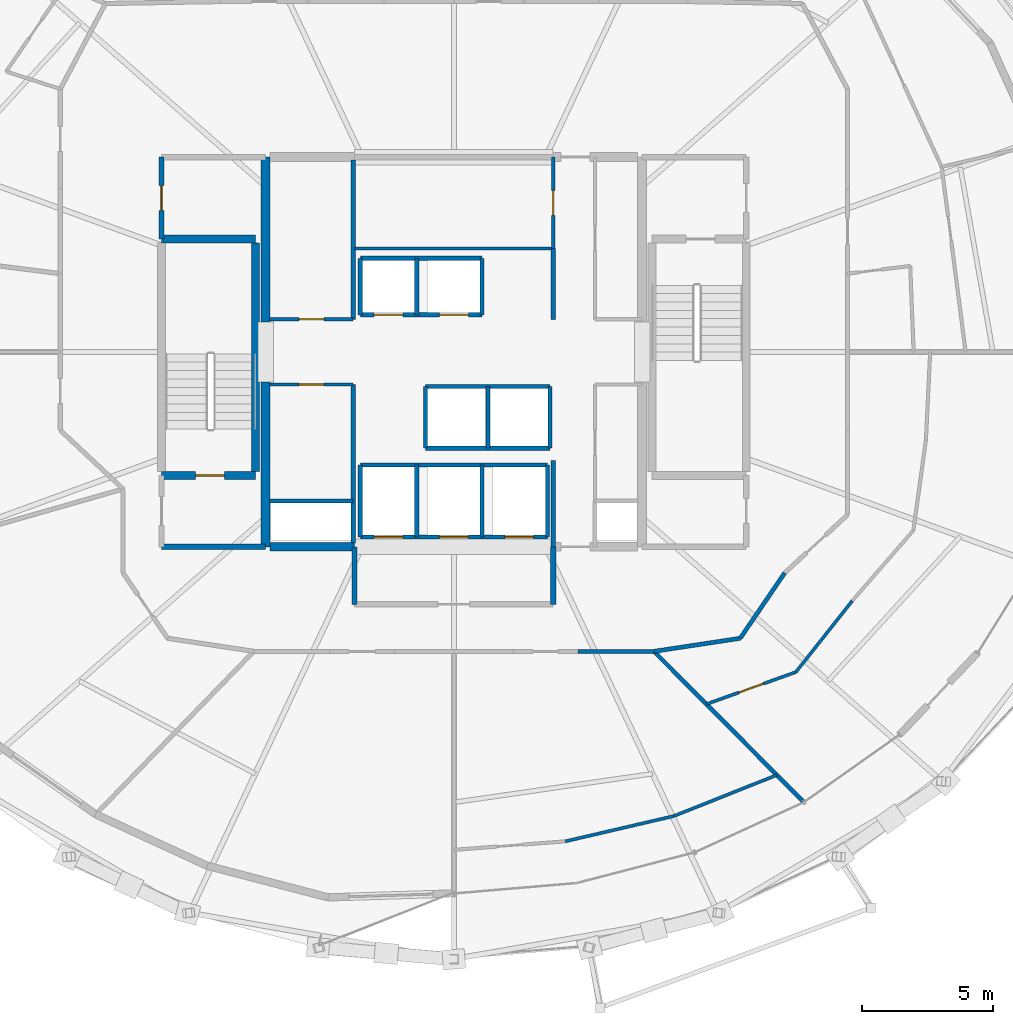
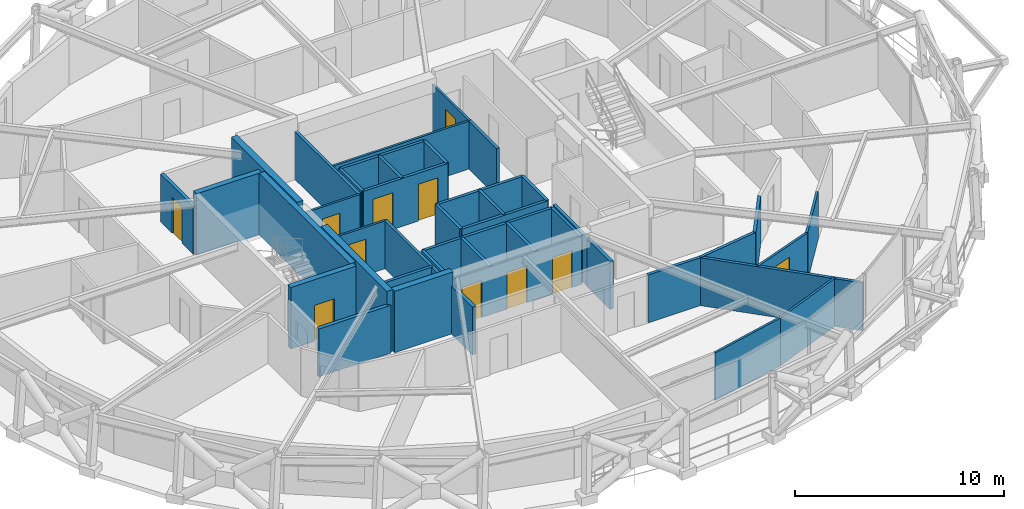
# One storey, part 13 of 17: 43 walls, 11 doors, 11 openings.
"""IFC4 building model written with IfcOpenShell, lengths in metres."""

from ifc_helpers import new_model, si_unit, direction, frame, frame_2d, origin, place, context, subcontext, project, spatial, rectangle, extrude, material, layer, layer_set, type_object, element, fill, save


model = new_model("IFC4")

# Units and contexts
model_context = context("Model", 3, precision=1e-05, world=origin(), true_north=direction((0.0, 1.0)))
body_context = subcontext(model_context, "Body", "Model", "MODEL_VIEW")
ifc_project = project(units=[si_unit("LENGTHUNIT", "METRE"), si_unit("AREAUNIT", "SQUARE_METRE"), si_unit("VOLUMEUNIT", "CUBIC_METRE"), si_unit("PLANEANGLEUNIT", "RADIAN"), si_unit("MASSUNIT", "GRAM", prefix="KILO")], contexts=[model_context])

# Site, building, storey
site_placement = place(None, origin())
site = spatial("IfcSite", under=ifc_project, at=site_placement, CompositionType="ELEMENT")
building_placement = place(site_placement, origin())
building = spatial("IfcBuilding", under=site, at=building_placement, Name="Veldorina Hangang Commons", CompositionType="ELEMENT")
storey_placement = place(building_placement, frame((0.0, 0.0, 196.39990234375)))
storey = spatial("IfcBuildingStorey", under=building, at=storey_placement, Name="L51", CompositionType="ELEMENT", Elevation=196.39990234375)

# Walls
ifc_material_1 = material(Name="Concrete C60/75", Category="concrete")
ifc_layer_1 = layer(ifc_material_1, 0.340087890625)
ifc_layer_set_1 = layer_set([ifc_layer_1], Name="Concrete C60/75")
wall_type_1 = type_object("IfcWallType", Name="CW-RC340-C60", PredefinedType="SHEAR", material=ifc_layer_set_1)
for number, where, z_axis, x_axis, name in (
    (1, (24.800048828125, 16.550048828125, 0.0), (0.0, 0.0, 1.0), (0.0, 1.0, 0.0), "L51 W south core shear wall"),
    (2, (24.800048828125, 25.14990234375, 0.0), (0.0, 0.0, 1.0), (0.0, 1.0, 0.0), "L51 W north core shear wall"),
):
    element("IfcWall", number, at=place(storey_placement, frame(where, z_axis=z_axis, x_axis=x_axis)), inside=storey, type_object=wall_type_1, Name=name, PredefinedType="SHEAR", context=body_context, shape_type="SweptSolid", body=[
        extrude(rectangle(XDim=6.300048828125, YDim=0.340087890625, at=frame_2d((3.14990234375, 0.0))), origin(), (0.0, 0.0, 1.0), 3.60009765625),
    ])
wall_1_placement = place(storey_placement, frame((24.969970703125, 16.550048828125, 0.0), z_axis=(0.0, 0.0, 1.0), x_axis=(1.0, 0.0, 0.0)))
element("IfcWall", 3, at=wall_1_placement, inside=storey, type_object=wall_type_1, Name="L51 south-west core shear wall", PredefinedType="SHEAR", context=body_context, shape_type="SweptSolid", body=[
    extrude(rectangle(XDim=3.22998046875, YDim=0.340087890625, at=frame_2d((1.614990234375, 0.0))), origin(), (0.0, 0.0, 1.0), 3.60009765625),
])
ifc_material_2 = material(Name="Concrete C50/60", Category="concrete")
ifc_layer_2 = layer(ifc_material_2, 0.300048828125)
ifc_layer_set_2 = layer_set([ifc_layer_2], Name="Concrete C50/60")
wall_type_2 = type_object("IfcWallType", Name="SW-STAIR-300", PredefinedType="SHEAR", material=ifc_layer_set_2)
wall_2_placement = place(storey_placement, frame((24.419921875, 19.429931640625, 0.0), z_axis=(0.0, 0.0, 1.0), x_axis=(0.0, 1.0, 0.0)))
element("IfcWall", 4, at=wall_2_placement, inside=storey, type_object=wall_type_2, Name="L51 ST1 inner stair shear wall", PredefinedType="SHEAR", context=body_context, shape_type="SweptSolid", body=[
    extrude(rectangle(XDim=8.739990234375, YDim=0.300048828125, at=frame_2d((4.3701171875, 0.0))), origin(), (0.0, 0.0, 1.0), 3.60009765625),
])

# Wall, opening, door
wall_3_placement = place(storey_placement, frame((20.820068359375, 19.280029296875, 0.0), z_axis=(0.0, 0.0, 1.0), x_axis=(1.0, 0.0, 0.0)))
wall_3 = element("IfcWall", 5, at=wall_3_placement, inside=storey, type_object=wall_type_2, Name="L51 ST1 south stair shear wall", PredefinedType="SHEAR", context=body_context, shape_type="SweptSolid", body=[
    extrude(rectangle(XDim=3.599853515625, YDim=0.300048828125, at=frame_2d((1.7998046875, 0.0))), origin(), (0.0, 0.0, 1.0), 3.60009765625),
])
opening_1_placement = place(wall_3_placement, frame((1.300048828125, 0.0, 0.0)))
opening_1 = element("IfcOpeningElement", 6, at=opening_1_placement, cuts=wall_3, Name="Opening D-08", PredefinedType="OPENING", context=body_context, shape_type="SweptSolid", body=[
    extrude(rectangle(XDim=1.10009765625, YDim=2.10009765625, at=frame_2d((0.550048828125, 1.050048828125))), frame((0.0, 0.16015625, 0.0), z_axis=(0.0, -1.0, 0.0), x_axis=(1.0, 0.0, 0.0)), (0.0, 0.0, 1.0), 0.320068359375),
])
ifc_material_3 = material(Name="Steel Fire-Rated Smoke Seal", Category="steel")
door_type_1 = type_object("IfcDoorType", Name="DR-FIRE-1100", OperationType="SINGLE_SWING_RIGHT", PredefinedType="DOOR", material=ifc_material_3)
door_1_placement = place(opening_1_placement, origin())
door_1 = element("IfcDoor", 7, at=door_1_placement, inside=storey, type_object=door_type_1, Name="L51 Special Escape Stair ST-1 door", OperationType="SINGLE_SWING_LEFT", OverallHeight=2.10009765625, OverallWidth=1.10009765625, PredefinedType="DOOR", context=body_context, shape_type="SweptSolid", body=[
    extrude(rectangle(XDim=1.10009765625, YDim=2.10009765625, at=frame_2d((0.550048828125, 1.050048828125))), frame((0.0, 0.02490234375, 0.0), z_axis=(0.0, -1.0, 0.0), x_axis=(1.0, 0.0, 0.0)), (0.0, 0.0, 1.0), 0.050048828125),
])
fill(opening_1, door_1)

# Walls
wall_4_placement = place(storey_placement, frame((20.820068359375, 28.320068359375, 0.0), z_axis=(0.0, 0.0, 1.0), x_axis=(1.0, 0.0, 0.0)))
element("IfcWall", 8, at=wall_4_placement, inside=storey, type_object=wall_type_2, Name="L51 ST1 north stair shear wall", PredefinedType="SHEAR", context=body_context, shape_type="SweptSolid", body=[
    extrude(rectangle(XDim=3.599853515625, YDim=0.300048828125, at=frame_2d((1.7998046875, 0.0))), origin(), (0.0, 0.0, 1.0), 3.60009765625),
])
ifc_material_4 = material(Name="Gypsum Fire-Rated Twin Stud Wall", Category="gypsum")
ifc_layer_3 = layer(ifc_material_4, 0.159912109375)
ifc_layer_set_3 = layer_set([ifc_layer_3], Name="Gypsum Fire-Rated Twin Stud Wall")
wall_type_3 = type_object("IfcWallType", Name="WL-FIRE-160", PredefinedType="SOLIDWALL", material=ifc_layer_set_3)
wall_5_placement = place(storey_placement, frame((35.800048828125, 16.550048828125, 0.0), z_axis=(0.0, 0.0, 1.0), x_axis=(0.0, 1.0, 0.0)))
element("IfcWall", 9, at=wall_5_placement, inside=storey, type_object=wall_type_3, Name="L51 Lift passage SW wall 009", PredefinedType="SOLIDWALL", context=body_context, shape_type="SweptSolid", body=[
    extrude(rectangle(XDim=3.300048828125, YDim=0.159912109375, at=frame_2d((1.64990234375, 0.0))), origin(), (0.0, 0.0, 1.0), 2.800048828125),
])
wall_6_placement = place(storey_placement, frame((35.800048828125, 25.25, 0.0), z_axis=(0.0, 0.0, 1.0), x_axis=(0.0, 1.0, 0.0)))
element("IfcWall", 10, at=wall_6_placement, inside=storey, type_object=wall_type_3, Name="L51 Lift passage NW lower wall 011", PredefinedType="SOLIDWALL", context=body_context, shape_type="SweptSolid", body=[
    extrude(rectangle(XDim=2.699951171875, YDim=0.159912109375, at=frame_2d((1.35009765625, 0.0))), origin(), (0.0, 0.0, 1.0), 2.800048828125),
])

# Wall, openings, doors
wall_7_placement = place(storey_placement, frame((28.419921875, 25.419921875, 0.0), z_axis=(0.0, 0.0, 1.0), x_axis=(1.0, 0.0, 0.0)))
wall_7 = element("IfcWall", 11, at=wall_7_placement, inside=storey, type_object=wall_type_3, Name="L51 Mid-high front shaft wall 015", PredefinedType="SOLIDWALL", context=body_context, shape_type="SweptSolid", body=[
    extrude(rectangle(XDim=4.66015625, YDim=0.159912109375, at=frame_2d((2.330078125, 0.0))), origin(), (0.0, 0.0, 1.0), 2.800048828125),
])
opening_2_placement = place(wall_7_placement, frame((0.530029296875, 0.0, 0.0)))
opening_2 = element("IfcOpeningElement", 12, at=opening_2_placement, cuts=wall_7, Name="Opening LD-01", PredefinedType="OPENING", context=body_context, shape_type="SweptSolid", body=[
    extrude(rectangle(XDim=1.10009765625, YDim=2.14990234375, at=frame_2d((0.550048828125, 1.074951171875))), frame((0.0, 0.08984375, 0.0), z_axis=(0.0, -1.0, 0.0), x_axis=(1.0, 0.0, 0.0)), (0.0, 0.0, 1.0), 0.179931640625),
])
opening_3_placement = place(wall_7_placement, frame((3.030029296875, 0.0, 0.0)))
opening_3 = element("IfcOpeningElement", 13, at=opening_3_placement, cuts=wall_7, Name="Opening LD-01", PredefinedType="OPENING", context=body_context, shape_type="SweptSolid", body=[
    extrude(rectangle(XDim=1.10009765625, YDim=2.14990234375, at=frame_2d((0.550048828125, 1.074951171875))), frame((0.0, 0.08984375, 0.0), z_axis=(0.0, -1.0, 0.0), x_axis=(1.0, 0.0, 0.0)), (0.0, 0.0, 1.0), 0.179931640625),
])
ifc_material_5 = material(Name="Stainless Steel Brushed Lift Door", Category="steel")
door_type_2 = type_object("IfcDoorType", Name="DR-LIFT-1100", OperationType="SLIDING_TO_LEFT", PredefinedType="DOOR", material=ifc_material_5)
door_2_placement = place(opening_2_placement, origin())
door_2 = element("IfcDoor", 14, at=door_2_placement, inside=storey, type_object=door_type_2, Name="L51 Lift PL-M1 landing door 006", OperationType="SLIDING_TO_RIGHT", OverallHeight=2.14990234375, OverallWidth=1.10009765625, PredefinedType="DOOR", context=body_context, shape_type="SweptSolid", body=[
    extrude(rectangle(XDim=1.10009765625, YDim=2.14990234375, at=frame_2d((0.550048828125, 1.074951171875))), frame((0.0, 0.02490234375, 0.0), z_axis=(0.0, -1.0, 0.0), x_axis=(1.0, 0.0, 0.0)), (0.0, 0.0, 1.0), 0.050048828125),
])
fill(opening_2, door_2)
door_3_placement = place(opening_3_placement, origin())
door_3 = element("IfcDoor", 15, at=door_3_placement, inside=storey, type_object=door_type_2, Name="L51 Lift PL-M2 landing door 007", OperationType="SLIDING_TO_RIGHT", OverallHeight=2.14990234375, OverallWidth=1.10009765625, PredefinedType="DOOR", context=body_context, shape_type="SweptSolid", body=[
    extrude(rectangle(XDim=1.10009765625, YDim=2.14990234375, at=frame_2d((0.550048828125, 1.074951171875))), frame((0.0, 0.02490234375, 0.0), z_axis=(0.0, -1.0, 0.0), x_axis=(1.0, 0.0, 0.0)), (0.0, 0.0, 1.0), 0.050048828125),
])
fill(opening_3, door_3)

# Walls
wall_8_placement = place(storey_placement, frame((28.419921875, 27.580078125, 0.0), z_axis=(0.0, 0.0, 1.0), x_axis=(1.0, 0.0, 0.0)))
element("IfcWall", 16, at=wall_8_placement, inside=storey, type_object=wall_type_3, Name="L51 Mid-high rear shaft wall 016", PredefinedType="SOLIDWALL", context=body_context, shape_type="SweptSolid", body=[
    extrude(rectangle(XDim=4.66015625, YDim=0.159912109375, at=frame_2d((2.330078125, 0.0))), origin(), (0.0, 0.0, 1.0), 2.800048828125),
])
for number, where, z_axis, x_axis, name in (
    (17, (28.419921875, 25.419921875, 0.0), (0.0, 0.0, 1.0), (0.0, 1.0, 0.0), "L51 PL-M1 west shaft wall 017"),
    (18, (30.580078125, 25.419921875, 0.0), (0.0, 0.0, 1.0), (0.0, 1.0, 0.0), "L51 PL-M1 east shaft wall 018"),
    (19, (33.080078125, 25.419921875, 0.0), (0.0, 0.0, 1.0), (0.0, 1.0, 0.0), "L51 PL-M2 east shaft wall 019"),
):
    element("IfcWall", number, at=place(storey_placement, frame(where, z_axis=z_axis, x_axis=x_axis)), inside=storey, type_object=wall_type_3, Name=name, PredefinedType="SOLIDWALL", context=body_context, shape_type="SweptSolid", body=[
        extrude(rectangle(XDim=2.16015625, YDim=0.159912109375, at=frame_2d((1.080078125, 0.0))), origin(), (0.0, 0.0, 1.0), 2.800048828125),
    ])
for number, where, z_axis, x_axis, name in (
    (20, (30.919921875, 22.679931640625, 0.0), (0.0, 0.0, 1.0), (1.0, 0.0, 0.0), "L51 Shuttle-high front shaft wall 020"),
    (21, (30.919921875, 20.320068359375, 0.0), (0.0, 0.0, 1.0), (1.0, 0.0, 0.0), "L51 Shuttle-high rear shaft wall 021"),
):
    element("IfcWall", number, at=place(storey_placement, frame(where, z_axis=z_axis, x_axis=x_axis)), inside=storey, type_object=wall_type_3, Name=name, PredefinedType="SOLIDWALL", context=body_context, shape_type="SweptSolid", body=[
        extrude(rectangle(XDim=4.760009765625, YDim=0.159912109375, at=frame_2d((2.3798828125, 0.0))), origin(), (0.0, 0.0, 1.0), 2.800048828125),
    ])
for number, where, z_axis, x_axis, name in (
    (22, (30.919921875, 20.320068359375, 0.0), (0.0, 0.0, 1.0), (0.0, 1.0, 0.0), "L51 SL-1 west shaft wall 022"),
    (23, (33.300048828125, 20.320068359375, 0.0), (0.0, 0.0, 1.0), (0.0, 1.0, 0.0), "L51 SL-1 east shaft wall 023"),
    (24, (35.679931640625, 20.320068359375, 0.0), (0.0, 0.0, 1.0), (0.0, 1.0, 0.0), "L51 SL-2 east shaft wall 024"),
):
    element("IfcWall", number, at=place(storey_placement, frame(where, z_axis=z_axis, x_axis=x_axis)), inside=storey, type_object=wall_type_3, Name=name, PredefinedType="SOLIDWALL", context=body_context, shape_type="SweptSolid", body=[
        extrude(rectangle(XDim=2.35986328125, YDim=0.159912109375, at=frame_2d((1.179931640625, 0.0))), origin(), (0.0, 0.0, 1.0), 2.800048828125),
    ])

# Wall, openings, doors
wall_9_placement = place(storey_placement, frame((28.419921875, 16.919921875, 0.0), z_axis=(0.0, 0.0, 1.0), x_axis=(1.0, 0.0, 0.0)))
wall_9 = element("IfcWall", 25, at=wall_9_placement, inside=storey, type_object=wall_type_3, Name="L51 Emergency front shaft wall 025", PredefinedType="SOLIDWALL", context=body_context, shape_type="SweptSolid", body=[
    extrude(rectangle(XDim=7.16015625, YDim=0.159912109375, at=frame_2d((3.580078125, 0.0))), origin(), (0.0, 0.0, 1.0), 2.800048828125),
])
opening_4_placement = place(wall_9_placement, frame((0.530029296875, 0.0, 0.0)))
opening_4 = element("IfcOpeningElement", 26, at=opening_4_placement, cuts=wall_9, Name="Opening LD-03", PredefinedType="OPENING", context=body_context, shape_type="SweptSolid", body=[
    extrude(rectangle(XDim=1.10009765625, YDim=2.14990234375, at=frame_2d((0.550048828125, 1.074951171875))), frame((0.0, 0.08984375, 0.0), z_axis=(0.0, -1.0, 0.0), x_axis=(1.0, 0.0, 0.0)), (0.0, 0.0, 1.0), 0.179931640625),
])
opening_5_placement = place(wall_9_placement, frame((3.030029296875, 0.0, 0.0)))
opening_5 = element("IfcOpeningElement", 27, at=opening_5_placement, cuts=wall_9, Name="Opening LD-03", PredefinedType="OPENING", context=body_context, shape_type="SweptSolid", body=[
    extrude(rectangle(XDim=1.10009765625, YDim=2.14990234375, at=frame_2d((0.550048828125, 1.074951171875))), frame((0.0, 0.08984375, 0.0), z_axis=(0.0, -1.0, 0.0), x_axis=(1.0, 0.0, 0.0)), (0.0, 0.0, 1.0), 0.179931640625),
])
opening_6_placement = place(wall_9_placement, frame((5.530029296875, 0.0, 0.0)))
opening_6 = element("IfcOpeningElement", 28, at=opening_6_placement, cuts=wall_9, Name="Opening LD-03", PredefinedType="OPENING", context=body_context, shape_type="SweptSolid", body=[
    extrude(rectangle(XDim=1.10009765625, YDim=2.14990234375, at=frame_2d((0.550048828125, 1.074951171875))), frame((0.0, 0.08984375, 0.0), z_axis=(0.0, -1.0, 0.0), x_axis=(1.0, 0.0, 0.0)), (0.0, 0.0, 1.0), 0.179931640625),
])
ifc_material_6 = material(Name="Stainless Steel Firefighting Lift Door", Category="steel")
door_type_3 = type_object("IfcDoorType", Name="DR-LIFT-FF1100", OperationType="SLIDING_TO_RIGHT", PredefinedType="DOOR", material=ifc_material_6)
door_4_placement = place(opening_4_placement, origin())
door_4 = element("IfcDoor", 29, at=door_4_placement, inside=storey, type_object=door_type_3, Name="L51 Emergency lift FFL-1 landing door 008", OperationType="SLIDING_TO_RIGHT", OverallHeight=2.14990234375, OverallWidth=1.10009765625, PredefinedType="DOOR", context=body_context, shape_type="SweptSolid", body=[
    extrude(rectangle(XDim=1.10009765625, YDim=2.14990234375, at=frame_2d((0.550048828125, 1.074951171875))), frame((0.0, 0.02490234375, 0.0), z_axis=(0.0, -1.0, 0.0), x_axis=(1.0, 0.0, 0.0)), (0.0, 0.0, 1.0), 0.050048828125),
])
fill(opening_4, door_4)
door_5_placement = place(opening_5_placement, origin())
door_5 = element("IfcDoor", 30, at=door_5_placement, inside=storey, type_object=door_type_3, Name="L51 Emergency lift FFL-2 landing door 009", OperationType="SLIDING_TO_RIGHT", OverallHeight=2.14990234375, OverallWidth=1.10009765625, PredefinedType="DOOR", context=body_context, shape_type="SweptSolid", body=[
    extrude(rectangle(XDim=1.10009765625, YDim=2.14990234375, at=frame_2d((0.550048828125, 1.074951171875))), frame((0.0, 0.02490234375, 0.0), z_axis=(0.0, -1.0, 0.0), x_axis=(1.0, 0.0, 0.0)), (0.0, 0.0, 1.0), 0.050048828125),
])
fill(opening_5, door_5)
door_6_placement = place(opening_6_placement, origin())
door_6 = element("IfcDoor", 31, at=door_6_placement, inside=storey, type_object=door_type_3, Name="L51 Emergency lift EVL-1 landing door 010", OperationType="SLIDING_TO_RIGHT", OverallHeight=2.14990234375, OverallWidth=1.10009765625, PredefinedType="DOOR", context=body_context, shape_type="SweptSolid", body=[
    extrude(rectangle(XDim=1.10009765625, YDim=2.14990234375, at=frame_2d((0.550048828125, 1.074951171875))), frame((0.0, 0.02490234375, 0.0), z_axis=(0.0, -1.0, 0.0), x_axis=(1.0, 0.0, 0.0)), (0.0, 0.0, 1.0), 0.050048828125),
])
fill(opening_6, door_6)

# Walls
wall_10_placement = place(storey_placement, frame((28.419921875, 19.679931640625, 0.0), z_axis=(0.0, 0.0, 1.0), x_axis=(1.0, 0.0, 0.0)))
element("IfcWall", 32, at=wall_10_placement, inside=storey, type_object=wall_type_3, Name="L51 Emergency rear shaft wall 026", PredefinedType="SOLIDWALL", context=body_context, shape_type="SweptSolid", body=[
    extrude(rectangle(XDim=7.16015625, YDim=0.159912109375, at=frame_2d((3.580078125, 0.0))), origin(), (0.0, 0.0, 1.0), 2.800048828125),
])
for number, where, z_axis, x_axis, name in (
    (33, (28.419921875, 16.919921875, 0.0), (0.0, 0.0, 1.0), (0.0, 1.0, 0.0), "L51 FFL-1 west shaft wall 027"),
    (34, (30.580078125, 16.919921875, 0.0), (0.0, 0.0, 1.0), (0.0, 1.0, 0.0), "L51 FFL-1 east shaft wall 028"),
    (35, (33.080078125, 16.919921875, 0.0), (0.0, 0.0, 1.0), (0.0, 1.0, 0.0), "L51 FFL-2 east shaft wall 029"),
    (36, (35.580078125, 16.919921875, 0.0), (0.0, 0.0, 1.0), (0.0, 1.0, 0.0), "L51 EVL-1 east shaft wall 030"),
):
    element("IfcWall", number, at=place(storey_placement, frame(where, z_axis=z_axis, x_axis=x_axis)), inside=storey, type_object=wall_type_3, Name=name, PredefinedType="SOLIDWALL", context=body_context, shape_type="SweptSolid", body=[
        extrude(rectangle(XDim=2.760009765625, YDim=0.159912109375, at=frame_2d((1.3798828125, 0.0))), origin(), (0.0, 0.0, 1.0), 2.800048828125),
    ])
wall_11_placement = place(storey_placement, frame((24.949951171875, 18.300048828125, 0.0), z_axis=(0.0, 0.0, 1.0), x_axis=(1.0, 0.0, 0.0)))
element("IfcWall", 37, at=wall_11_placement, inside=storey, type_object=wall_type_3, Name="L51 Electrical riser wall 034", PredefinedType="SOLIDWALL", context=body_context, shape_type="SweptSolid", body=[
    extrude(rectangle(XDim=3.199951171875, YDim=0.159912109375, at=frame_2d((1.60009765625, 0.0))), origin(), (0.0, 0.0, 1.0), 2.800048828125),
])
wall_12_placement = place(storey_placement, frame((28.14990234375, 16.699951171875, 0.0), z_axis=(0.0, 0.0, 1.0), x_axis=(0.0, 1.0, 0.0)))
element("IfcWall", 38, at=wall_12_placement, inside=storey, type_object=wall_type_3, Name="L51 SW core inner wall 035", PredefinedType="SOLIDWALL", context=body_context, shape_type="SweptSolid", body=[
    extrude(rectangle(XDim=6.050048828125, YDim=0.159912109375, at=frame_2d((3.02490234375, 0.0))), origin(), (0.0, 0.0, 1.0), 2.800048828125),
])
wall_13_placement = place(storey_placement, frame((28.14990234375, 25.25, 0.0), z_axis=(0.0, 0.0, 1.0), x_axis=(0.0, 1.0, 0.0)))
element("IfcWall", 39, at=wall_13_placement, inside=storey, type_object=wall_type_3, Name="L51 NW core inner wall 037", PredefinedType="SOLIDWALL", context=body_context, shape_type="SweptSolid", body=[
    extrude(rectangle(XDim=6.10009765625, YDim=0.159912109375, at=frame_2d((3.050048828125, 0.0))), origin(), (0.0, 0.0, 1.0), 2.800048828125),
])
wall_14_placement = place(storey_placement, frame((36.74267578125, 12.550048828125, 0.0), z_axis=(0.0, 0.0, 1.0), x_axis=(1.0, 0.0, 0.0)))
element("IfcWall", 40, at=wall_14_placement, inside=storey, type_object=wall_type_3, Name="L51 U-corridor outer wall 26 070", PredefinedType="SOLIDWALL", context=body_context, shape_type="SweptSolid", body=[
    extrude(rectangle(XDim=2.907958984375, YDim=0.159912109375, at=frame_2d((1.4541015625, 0.0))), origin(), (0.0, 0.0, 1.0), 2.800048828125),
])
wall_15_placement = place(storey_placement, frame((39.650634765625, 12.550048828125, 0.0), z_axis=(0.0, 0.0, 1.0), x_axis=(0.988710906508, 0.149835721217, 0.0)))
element("IfcWall", 41, at=wall_15_placement, inside=storey, type_object=wall_type_3, Name="L51 U-corridor outer wall 27 071", PredefinedType="SOLIDWALL", context=body_context, shape_type="SweptSolid", body=[
    extrude(rectangle(XDim=3.3369140625, YDim=0.159912109375, at=frame_2d((1.66845703125, 0.0))), origin(), (0.0, 0.0, 1.0), 2.800048828125),
])
wall_16_placement = place(storey_placement, frame((42.949951171875, 13.050048828125, 0.0), z_axis=(0.0, 0.0, 1.0), x_axis=(0.562674669208, 0.826678423955, 0.0)))
element("IfcWall", 42, at=wall_16_placement, inside=storey, type_object=wall_type_3, Name="L51 U-corridor outer wall 28 072", PredefinedType="SOLIDWALL", context=body_context, shape_type="SweptSolid", body=[
    extrude(rectangle(XDim=3.021240234375, YDim=0.159912109375, at=frame_2d((1.5107421875, 0.0))), origin(), (0.0, 0.0, 1.0), 2.800048828125),
])
wall_17_placement = place(storey_placement, frame((39.650634765625, 12.550048828125, 0.0), z_axis=(0.0, 0.0, 1.0), x_axis=(0.705049844298, -0.709157751882, 0.0)))
element("IfcWall", 43, at=wall_17_placement, inside=storey, type_object=wall_type_3, Name="L51 Unit party wall 27 076", PredefinedType="SOLIDWALL", context=body_context, shape_type="SweptSolid", body=[
    extrude(rectangle(XDim=8.082763671875, YDim=0.159912109375, at=frame_2d((4.04150390625, 0.0))), origin(), (0.0, 0.0, 1.0), 2.800048828125),
])
ifc_material_7 = material(Name="Concrete Blockwork Fire Wall C30/37", Category="masonry")
ifc_layer_4 = layer(ifc_material_7, 0.199951171875)
ifc_layer_set_4 = layer_set([ifc_layer_4], Name="Concrete Blockwork Fire Wall C30/37")
wall_type_4 = type_object("IfcWallType", Name="WL-FIRE-200", PredefinedType="SOLIDWALL", material=ifc_layer_set_4)
wall_18_placement = place(storey_placement, frame((20.820068359375, 16.550048828125, 0.0), z_axis=(0.0, 0.0, 1.0), x_axis=(1.0, 0.0, 0.0)))
element("IfcWall", 44, at=wall_18_placement, inside=storey, type_object=wall_type_4, Name="L51 West vestibule south wall 002", PredefinedType="SOLIDWALL", context=body_context, shape_type="SweptSolid", body=[
    extrude(rectangle(XDim=3.97998046875, YDim=0.199951171875, at=frame_2d((1.989990234375, 0.0))), origin(), (0.0, 0.0, 1.0), 2.800048828125),
])

# Wall, opening, door
wall_19_placement = place(storey_placement, frame((20.820068359375, 28.320068359375, 0.0), z_axis=(0.0, 0.0, 1.0), x_axis=(0.0, 1.0, 0.0)))
wall_19 = element("IfcWall", 45, at=wall_19_placement, inside=storey, type_object=wall_type_4, Name="L51 NW core room outer wall 005", PredefinedType="SOLIDWALL", context=body_context, shape_type="SweptSolid", body=[
    extrude(rectangle(XDim=3.1298828125, YDim=0.199951171875, at=frame_2d((1.56494140625, 0.0))), origin(), (0.0, 0.0, 1.0), 2.800048828125),
])
opening_7_placement = place(wall_19_placement, frame((1.090087890625, 0.0, 0.0)))
opening_7 = element("IfcOpeningElement", 46, at=opening_7_placement, cuts=wall_19, Name="Opening D-04", PredefinedType="OPENING", context=body_context, shape_type="SweptSolid", body=[
    extrude(rectangle(XDim=0.949951171875, YDim=2.10009765625, at=frame_2d((0.47509765625, 1.050048828125))), frame((0.0, 0.10986328125, 0.0), z_axis=(0.0, -1.0, 0.0), x_axis=(1.0, 0.0, 0.0)), (0.0, 0.0, 1.0), 0.219970703125),
])
ifc_material_8 = material(Name="Timber Accessible Flush Leaf", Category="wood")
door_type_4 = type_object("IfcDoorType", Name="DR-ACC-950", OperationType="SINGLE_SWING_LEFT", PredefinedType="DOOR", material=ifc_material_8)
door_7_placement = place(opening_7_placement, origin())
door_7 = element("IfcDoor", 47, at=door_7_placement, inside=storey, type_object=door_type_4, Name="L51 NW core WC door 003", OperationType="SINGLE_SWING_LEFT", OverallHeight=2.10009765625, OverallWidth=0.949951171875, PredefinedType="DOOR", context=body_context, shape_type="SweptSolid", body=[
    extrude(rectangle(XDim=0.949951171875, YDim=2.10009765625, at=frame_2d((0.47509765625, 1.050048828125))), frame((0.0, 0.02490234375, 0.0), z_axis=(0.0, -1.0, 0.0), x_axis=(1.0, 0.0, 0.0)), (0.0, 0.0, 1.0), 0.050048828125),
])
fill(opening_7, door_7)

# Walls
for number, where, z_axis, x_axis, name in (
    (48, (28.199951171875, 14.35009765625, 0.0), (0.0, 0.0, 1.0), (0.0, 1.0, 0.0), "L51 FF lobby west wall 012"),
    (49, (35.800048828125, 14.35009765625, 0.0), (0.0, 0.0, 1.0), (0.0, 1.0, 0.0), "L51 FF lobby east wall 013"),
):
    element("IfcWall", number, at=place(storey_placement, frame(where, z_axis=z_axis, x_axis=x_axis)), inside=storey, type_object=wall_type_4, Name=name, PredefinedType="SOLIDWALL", context=body_context, shape_type="SweptSolid", body=[
        extrude(rectangle(XDim=2.199951171875, YDim=0.199951171875, at=frame_2d((1.10009765625, 0.0))), origin(), (0.0, 0.0, 1.0), 2.800048828125),
    ])
ifc_material_9 = material(Name="Gypsum Acoustic Stud Partition", Category="gypsum")
ifc_layer_5 = layer(ifc_material_9, 0.1201171875)
ifc_layer_set_5 = layer_set([ifc_layer_5], Name="Gypsum Acoustic Stud Partition")
wall_type_5 = type_object("IfcWallType", Name="WL-PART-120", PredefinedType="PARTITIONING", material=ifc_layer_set_5)
wall_20_placement = place(storey_placement, frame((28.199951171875, 27.949951171875, 0.0), z_axis=(0.0, 0.0, 1.0), x_axis=(1.0, 0.0, 0.0)))
element("IfcWall", 50, at=wall_20_placement, inside=storey, type_object=wall_type_5, Name="L51 Merged north south wall 032", PredefinedType="PARTITIONING", context=body_context, shape_type="SweptSolid", body=[
    extrude(rectangle(XDim=7.60009765625, YDim=0.1201171875, at=frame_2d((3.800048828125, 0.0))), origin(), (0.0, 0.0, 1.0), 2.800048828125),
])

# Wall, opening, door
wall_21_placement = place(storey_placement, frame((35.800048828125, 27.949951171875, 0.0), z_axis=(0.0, 0.0, 1.0), x_axis=(0.0, 1.0, 0.0)))
wall_21 = element("IfcWall", 51, at=wall_21_placement, inside=storey, type_object=wall_type_5, Name="L51 Merged north east wall 033", PredefinedType="PARTITIONING", context=body_context, shape_type="SweptSolid", body=[
    extrude(rectangle(XDim=3.5, YDim=0.1201171875, at=frame_2d((1.75, 0.0))), origin(), (0.0, 0.0, 1.0), 2.800048828125),
])
opening_8_placement = place(wall_21_placement, frame((1.27490234375, 0.0, 0.0)))
opening_8 = element("IfcOpeningElement", 52, at=opening_8_placement, cuts=wall_21, Name="Opening D-02", PredefinedType="OPENING", context=body_context, shape_type="SweptSolid", body=[
    extrude(rectangle(XDim=0.949951171875, YDim=2.10009765625, at=frame_2d((0.47509765625, 1.050048828125))), frame((0.0, 0.070068359375, 0.0), z_axis=(0.0, -1.0, 0.0), x_axis=(1.0, 0.0, 0.0)), (0.0, 0.0, 1.0), 0.14013671875),
])
ifc_material_10 = material(Name="Timber Solid Core Acoustic", Category="wood")
door_type_5 = type_object("IfcDoorType", Name="DR-INT-950", OperationType="SINGLE_SWING_LEFT", PredefinedType="DOOR", material=ifc_material_10)
door_8_placement = place(opening_8_placement, origin())
door_8 = element("IfcDoor", 53, at=door_8_placement, inside=storey, type_object=door_type_5, Name="L51 Merged north room lobby door 011", OperationType="SINGLE_SWING_LEFT", OverallHeight=2.10009765625, OverallWidth=0.949951171875, PredefinedType="DOOR", context=body_context, shape_type="SweptSolid", body=[
    extrude(rectangle(XDim=0.949951171875, YDim=2.10009765625, at=frame_2d((0.47509765625, 1.050048828125))), frame((0.0, 0.02490234375, 0.0), z_axis=(0.0, -1.0, 0.0), x_axis=(1.0, 0.0, 0.0)), (0.0, 0.0, 1.0), 0.050048828125),
])
fill(opening_8, door_8)

wall_22_placement = place(storey_placement, frame((24.949951171875, 25.25, 0.0), z_axis=(0.0, 0.0, 1.0), x_axis=(1.0, 0.0, 0.0)))
wall_22 = element("IfcWall", 54, at=wall_22_placement, inside=storey, type_object=wall_type_5, Name="L51 NW service south wall 038", PredefinedType="PARTITIONING", context=body_context, shape_type="SweptSolid", body=[
    extrude(rectangle(XDim=3.199951171875, YDim=0.1201171875, at=frame_2d((1.60009765625, 0.0))), origin(), (0.0, 0.0, 1.0), 2.800048828125),
])
opening_9_placement = place(wall_22_placement, frame((1.125, 0.0, 0.0)))
opening_9 = element("IfcOpeningElement", 55, at=opening_9_placement, cuts=wall_22, Name="Opening D-02", PredefinedType="OPENING", context=body_context, shape_type="SweptSolid", body=[
    extrude(rectangle(XDim=0.949951171875, YDim=2.10009765625, at=frame_2d((0.47509765625, 1.050048828125))), frame((0.0, 0.070068359375, 0.0), z_axis=(0.0, -1.0, 0.0), x_axis=(1.0, 0.0, 0.0)), (0.0, 0.0, 1.0), 0.14013671875),
])
door_9_placement = place(opening_9_placement, origin())
door_9 = element("IfcDoor", 56, at=door_9_placement, inside=storey, type_object=door_type_5, Name="L51 Housekeeping store door 012", OperationType="SINGLE_SWING_RIGHT", OverallHeight=2.10009765625, OverallWidth=0.949951171875, PredefinedType="DOOR", context=body_context, shape_type="SweptSolid", body=[
    extrude(rectangle(XDim=0.949951171875, YDim=2.10009765625, at=frame_2d((0.47509765625, 1.050048828125))), frame((0.0, 0.02490234375, 0.0), z_axis=(0.0, -1.0, 0.0), x_axis=(1.0, 0.0, 0.0)), (0.0, 0.0, 1.0), 0.050048828125),
])
fill(opening_9, door_9)

wall_23_placement = place(storey_placement, frame((24.949951171875, 22.75, 0.0), z_axis=(0.0, 0.0, 1.0), x_axis=(1.0, 0.0, 0.0)))
wall_23 = element("IfcWall", 57, at=wall_23_placement, inside=storey, type_object=wall_type_5, Name="L51 SW service north wall 039", PredefinedType="PARTITIONING", context=body_context, shape_type="SweptSolid", body=[
    extrude(rectangle(XDim=3.199951171875, YDim=0.1201171875, at=frame_2d((1.60009765625, 0.0))), origin(), (0.0, 0.0, 1.0), 2.800048828125),
])
opening_10_placement = place(wall_23_placement, frame((1.125, 0.0, 0.0)))
opening_10 = element("IfcOpeningElement", 58, at=opening_10_placement, cuts=wall_23, Name="Opening D-02", PredefinedType="OPENING", context=body_context, shape_type="SweptSolid", body=[
    extrude(rectangle(XDim=0.949951171875, YDim=2.10009765625, at=frame_2d((0.47509765625, 1.050048828125))), frame((0.0, 0.070068359375, 0.0), z_axis=(0.0, -1.0, 0.0), x_axis=(1.0, 0.0, 0.0)), (0.0, 0.0, 1.0), 0.14013671875),
])
door_10_placement = place(opening_10_placement, origin())
door_10 = element("IfcDoor", 59, at=door_10_placement, inside=storey, type_object=door_type_5, Name="L51 Refuse hold door 013", OperationType="SINGLE_SWING_LEFT", OverallHeight=2.10009765625, OverallWidth=0.949951171875, PredefinedType="DOOR", context=body_context, shape_type="SweptSolid", body=[
    extrude(rectangle(XDim=0.949951171875, YDim=2.10009765625, at=frame_2d((0.47509765625, 1.050048828125))), frame((0.0, 0.02490234375, 0.0), z_axis=(0.0, -1.0, 0.0), x_axis=(1.0, 0.0, 0.0)), (0.0, 0.0, 1.0), 0.050048828125),
])
fill(opening_10, door_10)

wall_24_placement = place(storey_placement, frame((41.657470703125, 10.531494140625, 0.0), z_axis=(0.0, 0.0, 1.0), x_axis=(0.941388902833, 0.337323188681, 0.0)))
wall_24 = element("IfcWall", 60, at=wall_24_placement, inside=storey, type_object=wall_type_5, Name="L51 Lounge alcove split 0 077", PredefinedType="PARTITIONING", context=body_context, shape_type="SweptSolid", body=[
    extrude(rectangle(XDim=3.635498046875, YDim=0.1201171875, at=frame_2d((1.81787109375, 0.0))), origin(), (0.0, 0.0, 1.0), 2.800048828125),
])
opening_11_placement = place(wall_24_placement, frame((1.317626953125, 0.0, 0.0)))
opening_11 = element("IfcOpeningElement", 61, at=opening_11_placement, cuts=wall_24, Name="Opening D-05", PredefinedType="OPENING", context=body_context, shape_type="SweptSolid", body=[
    extrude(rectangle(XDim=1.0, YDim=2.10009765625, at=frame_2d((0.5, 1.050048828125))), frame((0.0, 0.070068359375, 0.0), z_axis=(0.0, -1.0, 0.0), x_axis=(1.0, 0.0, 0.0)), (0.0, 0.0, 1.0), 0.14013671875),
])
door_type_6 = type_object("IfcDoorType", Name="DR-INT-1000", OperationType="SINGLE_SWING_RIGHT", PredefinedType="DOOR", material=ifc_material_10)
door_11_placement = place(opening_11_placement, origin())
door_11 = element("IfcDoor", 62, at=door_11_placement, inside=storey, type_object=door_type_6, Name="L51 Commons lounge door 017", OperationType="SINGLE_SWING_LEFT", OverallHeight=2.10009765625, OverallWidth=1.0, PredefinedType="DOOR", context=body_context, shape_type="SweptSolid", body=[
    extrude(rectangle(XDim=1.0, YDim=2.10009765625, at=frame_2d((0.5, 1.050048828125))), frame((0.0, 0.02490234375, 0.0), z_axis=(0.0, -1.0, 0.0), x_axis=(1.0, 0.0, 0.0)), (0.0, 0.0, 1.0), 0.050048828125),
])
fill(opening_11, door_11)

# Walls
wall_25_placement = place(storey_placement, frame((45.079833984375, 11.7578125, 0.0), z_axis=(0.0, 0.0, 1.0), x_axis=(0.620585820478, 0.78413853331, 0.0)))
element("IfcWall", 63, at=wall_25_placement, inside=storey, type_object=wall_type_5, Name="L51 Lounge alcove split 1 078", PredefinedType="PARTITIONING", context=body_context, shape_type="SweptSolid", body=[
    extrude(rectangle(XDim=3.470703125, YDim=0.1201171875, at=frame_2d((1.7353515625, 0.0))), origin(), (0.0, 0.0, 1.0), 2.800048828125),
])
wall_26_placement = place(storey_placement, frame((36.263916015625, 5.285400390625, 0.0), z_axis=(0.0, 0.0, 1.0), x_axis=(0.973957731006, 0.226729658877, 0.0)))
element("IfcWall", 64, at=wall_26_placement, inside=storey, type_object=wall_type_5, Name="L51 Laundry split 1 106", PredefinedType="PARTITIONING", context=body_context, shape_type="SweptSolid", body=[
    extrude(rectangle(XDim=4.260986328125, YDim=0.1201171875, at=frame_2d((2.13037109375, 0.0))), origin(), (0.0, 0.0, 1.0), 2.800048828125),
])
wall_27_placement = place(storey_placement, frame((40.413818359375, 6.25146484375, 0.0), z_axis=(0.0, 0.0, 1.0), x_axis=(0.928976219059, 0.370139412144, 0.0)))
element("IfcWall", 65, at=wall_27_placement, inside=storey, type_object=wall_type_5, Name="L51 Laundry split 2 107", PredefinedType="PARTITIONING", context=body_context, shape_type="SweptSolid", body=[
    extrude(rectangle(XDim=4.23974609375, YDim=0.1201171875, at=frame_2d((2.119873046875, 0.0))), origin(), (0.0, 0.0, 1.0), 2.800048828125),
])

save(model, "model.ifc")
